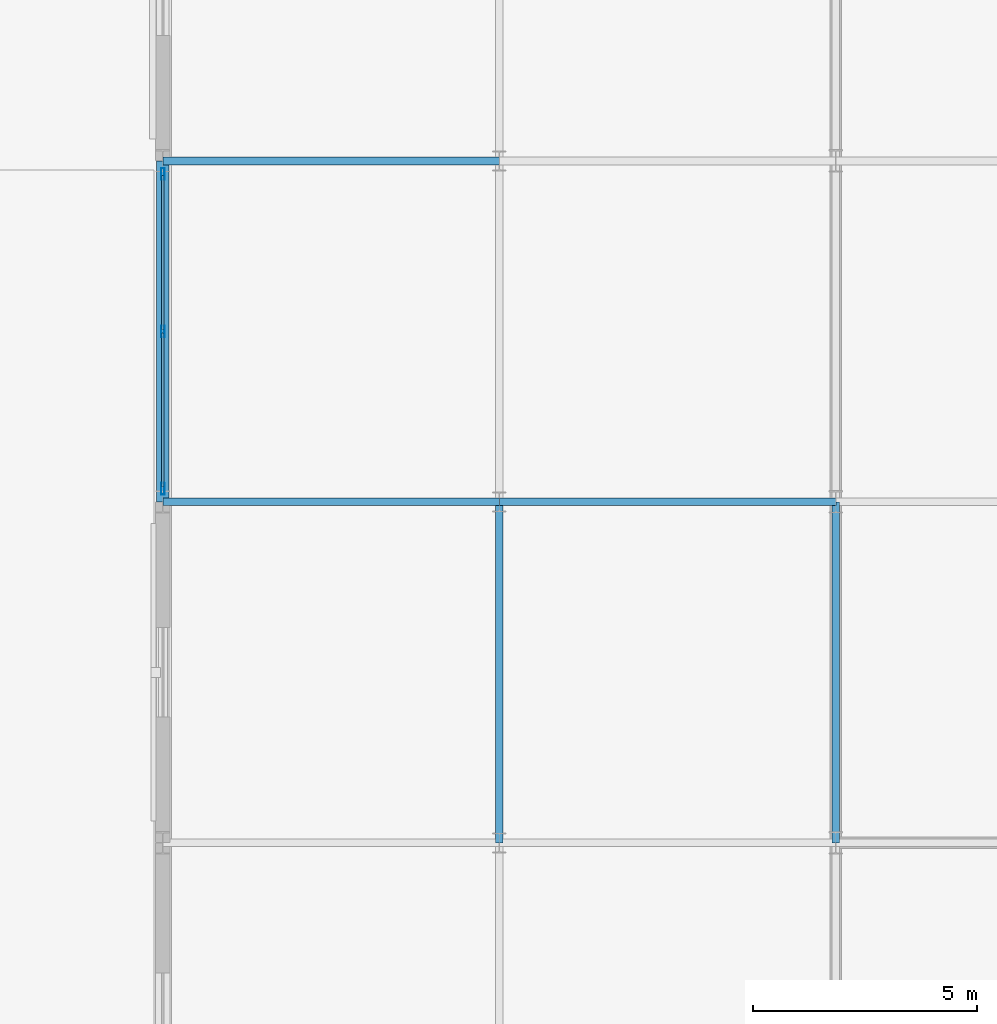
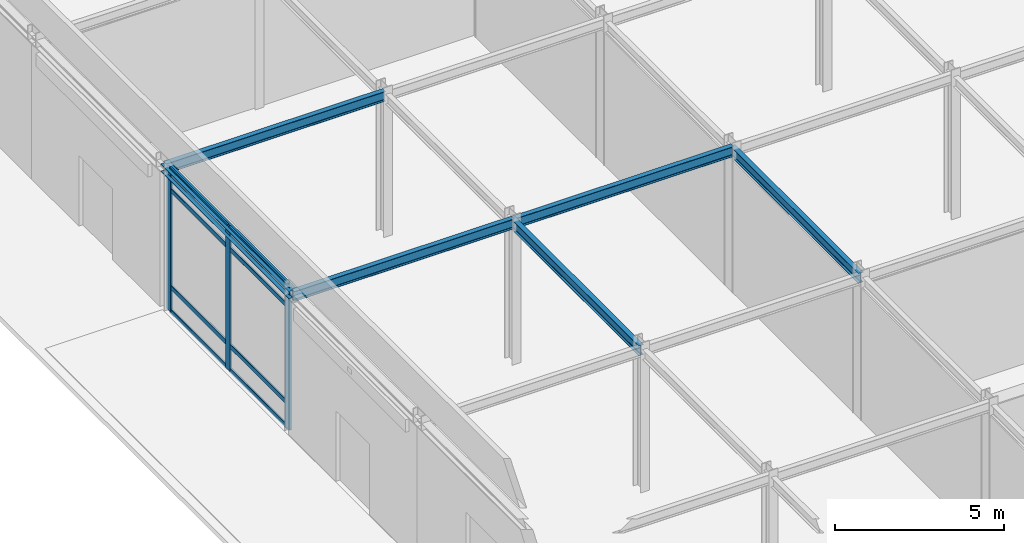
# One storey, part 23 of 89: 11 members, 6 beams, 1 element without a shape of its own.
"""IFC4 building model written with IfcOpenShell, lengths in metres."""

from ifc_helpers import new_model, si_unit, direction, frame, origin, origin_2d, place, context, subcontext, project, spatial, hollow_rectangle, i_section, extrude, material, layer, layer_set, material_profile, profile_set, type_object, element, aggregate, save


model = new_model("IFC4")

# Units and contexts
model_context = context("Model", 3, precision=1e-05, world=origin(), true_north=direction((0.0, 1.0)))
body_context = subcontext(model_context, "Body", "Model", "MODEL_VIEW")
ifc_project = project(units=[si_unit("LENGTHUNIT", "METRE"), si_unit("AREAUNIT", "SQUARE_METRE"), si_unit("VOLUMEUNIT", "CUBIC_METRE"), si_unit("PLANEANGLEUNIT", "RADIAN"), si_unit("MASSUNIT", "GRAM", prefix="KILO")], contexts=[model_context])

# Site, building, storey
site_placement = place(None, origin())
site = spatial("IfcSite", under=ifc_project, at=site_placement, CompositionType="ELEMENT")
building_placement = place(site_placement, origin())
building = spatial("IfcBuilding", under=site, at=building_placement, Name="Shalkamar Park Central Library", CompositionType="ELEMENT")
storey_placement = place(building_placement, origin())
storey = spatial("IfcBuildingStorey", under=building, at=storey_placement, Name="L01", CompositionType="ELEMENT", Elevation=0.0)

# Curtain wall, members
ifc_material_1 = material(Name="Thermally broken aluminium and triple low-e curtain wall", Category="aluminium")
ifc_layer = layer(ifc_material_1, 0.260009765625)
ifc_layer_set = layer_set([ifc_layer], Name="UnitisedCurtainWall_16")
curtain_wall_type = type_object("IfcCurtainWallType", Name="Unitised Curtain Wall 16", PredefinedType="USERDEFINED", material=ifc_layer_set)
curtain_wall_placement = place(storey_placement, origin())
curtain_wall = element("IfcCurtainWall", 1, at=curtain_wall_placement, inside=storey, type_object=curtain_wall_type, Name="Unitised Curtain Wall CW-L01-017", ObjectType="UNITISED CURTAIN WALL", PredefinedType="USERDEFINED")
ifc_material_2 = material(Name="Aluminium 6060-T66", Category="aluminium")
ifc_material_profile_1 = material_profile(ifc_material_2, hollow_rectangle(XDim=0.074951171875, YDim=0.260009765625, WallThickness=0.00439453125, InnerFilletRadius=0.00439453125, OuterFilletRadius=0.0068359375, at=origin_2d()), Name="ALU 75x260x4.5")
ifc_profile_set_1 = profile_set([ifc_material_profile_1], Name="Aluminium 6060-T66")
member_type_1 = type_object("IfcMemberType", Name="Curtain Wall Mullion ALU75x260", PredefinedType="MULLION", material=ifc_profile_set_1)
member_1_placement = place(storey_placement, frame((120.0, 285.8916015625, 0.0), z_axis=(0.0, 0.0, 1.0), x_axis=(-1.0, 0.0, 0.0)))
member_1 = element("IfcMember", 2, at=member_1_placement, type_object=member_type_1, Name="CW-16 mullion 1", PredefinedType="MULLION", context=body_context, shape_type="SweptSolid", body=[
    extrude(hollow_rectangle(XDim=0.074951171875, YDim=0.260009765625, WallThickness=0.00439453125, InnerFilletRadius=0.00439453125, OuterFilletRadius=0.0068359375, at=origin_2d()), origin(), (0.0, 0.0, 1.0), 5.14990234375),
])
member_2_placement = place(storey_placement, frame((120.0, 289.39990234375, 0.0), z_axis=(0.0, 0.0, 1.0), x_axis=(-1.0, 0.0, 0.0)))
member_2 = element("IfcMember", 3, at=member_2_placement, type_object=member_type_1, Name="CW-16 mullion 2", PredefinedType="MULLION", context=body_context, shape_type="SweptSolid", body=[
    extrude(hollow_rectangle(XDim=0.074951171875, YDim=0.260009765625, WallThickness=0.00439453125, InnerFilletRadius=0.00439453125, OuterFilletRadius=0.0068359375, at=origin_2d()), origin(), (0.0, 0.0, 1.0), 5.14990234375),
])
member_3_placement = place(storey_placement, frame((120.0, 292.908447265625, 0.0), z_axis=(0.0, 0.0, 1.0), x_axis=(-1.0, 0.0, 0.0)))
member_3 = element("IfcMember", 4, at=member_3_placement, type_object=member_type_1, Name="CW-16 mullion 3", PredefinedType="MULLION", context=body_context, shape_type="SweptSolid", body=[
    extrude(hollow_rectangle(XDim=0.074951171875, YDim=0.260009765625, WallThickness=0.00439453125, InnerFilletRadius=0.00439453125, OuterFilletRadius=0.0068359375, at=origin_2d()), origin(), (0.0, 0.0, 1.0), 5.14990234375),
])
ifc_material_profile_2 = material_profile(ifc_material_2, hollow_rectangle(XDim=0.06005859375, YDim=0.1650390625, WallThickness=0.00390625, InnerFilletRadius=0.00390625, OuterFilletRadius=0.006103515625, at=origin_2d()), Name="ALU 60x165x4")
ifc_profile_set_2 = profile_set([ifc_material_profile_2], Name="Aluminium 6060-T66")
member_type_2 = type_object("IfcMemberType", Name="Curtain Wall Transom ALU60x165", PredefinedType="USERDEFINED", material=ifc_profile_set_2)
member_4_placement = place(storey_placement, frame((120.0, 285.928955078125, 0.030029296875), z_axis=(0.0, 1.0, 0.0), x_axis=(-1.0, 0.0, 0.0)))
member_4 = element("IfcMember", 5, at=member_4_placement, type_object=member_type_2, Name="CW-16 transom 1.1", ObjectType="TRANSOM", PredefinedType="USERDEFINED", context=body_context, shape_type="SweptSolid", body=[
    extrude(hollow_rectangle(XDim=0.06005859375, YDim=0.1650390625, WallThickness=0.00390625, InnerFilletRadius=0.00390625, OuterFilletRadius=0.006103515625, at=origin_2d()), origin(), (0.0, 0.0, 1.0), 3.43359375),
])
member_5_placement = place(storey_placement, frame((120.0, 285.928955078125, 0.89990234375), z_axis=(0.0, 1.0, 0.0), x_axis=(-1.0, 0.0, 0.0)))
member_5 = element("IfcMember", 6, at=member_5_placement, type_object=member_type_2, Name="CW-16 transom 1.2", ObjectType="TRANSOM", PredefinedType="USERDEFINED", context=body_context, shape_type="SweptSolid", body=[
    extrude(hollow_rectangle(XDim=0.06005859375, YDim=0.1650390625, WallThickness=0.00390625, InnerFilletRadius=0.00390625, OuterFilletRadius=0.006103515625, at=origin_2d()), origin(), (0.0, 0.0, 1.0), 3.43359375),
])
member_6_placement = place(storey_placement, frame((120.0, 285.928955078125, 4.39990234375), z_axis=(0.0, 1.0, 0.0), x_axis=(-1.0, 0.0, 0.0)))
member_6 = element("IfcMember", 7, at=member_6_placement, type_object=member_type_2, Name="CW-16 transom 1.3", ObjectType="TRANSOM", PredefinedType="USERDEFINED", context=body_context, shape_type="SweptSolid", body=[
    extrude(hollow_rectangle(XDim=0.06005859375, YDim=0.1650390625, WallThickness=0.00390625, InnerFilletRadius=0.00390625, OuterFilletRadius=0.006103515625, at=origin_2d()), origin(), (0.0, 0.0, 1.0), 3.43359375),
])
member_7_placement = place(storey_placement, frame((120.0, 285.928955078125, 5.1201171875), z_axis=(0.0, 1.0, 0.0), x_axis=(-1.0, 0.0, 0.0)))
member_7 = element("IfcMember", 8, at=member_7_placement, type_object=member_type_2, Name="CW-16 transom 1.4", ObjectType="TRANSOM", PredefinedType="USERDEFINED", context=body_context, shape_type="SweptSolid", body=[
    extrude(hollow_rectangle(XDim=0.06005859375, YDim=0.1650390625, WallThickness=0.00390625, InnerFilletRadius=0.00390625, OuterFilletRadius=0.006103515625, at=origin_2d()), origin(), (0.0, 0.0, 1.0), 3.43359375),
])
member_8_placement = place(storey_placement, frame((120.0, 289.4375, 0.030029296875), z_axis=(0.0, 1.0, 0.0), x_axis=(-1.0, 0.0, 0.0)))
member_8 = element("IfcMember", 9, at=member_8_placement, type_object=member_type_2, Name="CW-16 transom 2.1", ObjectType="TRANSOM", PredefinedType="USERDEFINED", context=body_context, shape_type="SweptSolid", body=[
    extrude(hollow_rectangle(XDim=0.06005859375, YDim=0.1650390625, WallThickness=0.00390625, InnerFilletRadius=0.00390625, OuterFilletRadius=0.006103515625, at=origin_2d()), origin(), (0.0, 0.0, 1.0), 3.43359375),
])
member_9_placement = place(storey_placement, frame((120.0, 289.4375, 0.89990234375), z_axis=(0.0, 1.0, 0.0), x_axis=(-1.0, 0.0, 0.0)))
member_9 = element("IfcMember", 10, at=member_9_placement, type_object=member_type_2, Name="CW-16 transom 2.2", ObjectType="TRANSOM", PredefinedType="USERDEFINED", context=body_context, shape_type="SweptSolid", body=[
    extrude(hollow_rectangle(XDim=0.06005859375, YDim=0.1650390625, WallThickness=0.00390625, InnerFilletRadius=0.00390625, OuterFilletRadius=0.006103515625, at=origin_2d()), origin(), (0.0, 0.0, 1.0), 3.43359375),
])
member_10_placement = place(storey_placement, frame((120.0, 289.4375, 4.39990234375), z_axis=(0.0, 1.0, 0.0), x_axis=(-1.0, 0.0, 0.0)))
member_10 = element("IfcMember", 11, at=member_10_placement, type_object=member_type_2, Name="CW-16 transom 2.3", ObjectType="TRANSOM", PredefinedType="USERDEFINED", context=body_context, shape_type="SweptSolid", body=[
    extrude(hollow_rectangle(XDim=0.06005859375, YDim=0.1650390625, WallThickness=0.00390625, InnerFilletRadius=0.00390625, OuterFilletRadius=0.006103515625, at=origin_2d()), origin(), (0.0, 0.0, 1.0), 3.43359375),
])
member_11_placement = place(storey_placement, frame((120.0, 289.4375, 5.1201171875), z_axis=(0.0, 1.0, 0.0), x_axis=(-1.0, 0.0, 0.0)))
member_11 = element("IfcMember", 12, at=member_11_placement, type_object=member_type_2, Name="CW-16 transom 2.4", ObjectType="TRANSOM", PredefinedType="USERDEFINED", context=body_context, shape_type="SweptSolid", body=[
    extrude(hollow_rectangle(XDim=0.06005859375, YDim=0.1650390625, WallThickness=0.00390625, InnerFilletRadius=0.00390625, OuterFilletRadius=0.006103515625, at=origin_2d()), origin(), (0.0, 0.0, 1.0), 3.43359375),
])
aggregate(curtain_wall, [member_1, member_2, member_3, member_4, member_5, member_6, member_7, member_8, member_9, member_10, member_11])

# Beams
ifc_material_3 = material(Name="Steel S355", Category="steel")
ifc_material_profile_3 = material_profile(ifc_material_3, i_section(OverallWidth=0.280029296875, OverallDepth=0.27001953125, WebThickness=0.008056640625, FlangeThickness=0.012939453125, FilletRadius=0.02392578125, at=origin_2d()), Name="HEA 280")
ifc_profile_set_3 = profile_set([ifc_material_profile_3], Name="Steel S355")
beam_type_1 = type_object("IfcBeamType", Name="Perimeter Spandrel Beam HEA280", PredefinedType="SPANDREL", material=ifc_profile_set_3)
beam_placement = place(storey_placement, frame((120.0, 285.60009765625, 5.014892578125), z_axis=(0.0, 1.0, 0.0), x_axis=(-1.0, 0.0, 0.0)))
element("IfcBeam", 13, at=beam_placement, inside=storey, type_object=beam_type_1, Name="Beam 01:G-H (L01)", PredefinedType="SPANDREL", context=body_context, shape_type="SweptSolid", body=[
    extrude(i_section(OverallWidth=0.280029296875, OverallDepth=0.27001953125, WebThickness=0.008056640625, FlangeThickness=0.012939453125, FilletRadius=0.02392578125, at=origin_2d()), origin(), (0.0, 0.0, 1.0), 7.599853515625),
])
ifc_material_profile_4 = material_profile(ifc_material_3, i_section(OverallWidth=0.169921875, OverallDepth=0.360107421875, WebThickness=0.008056640625, FlangeThickness=0.0126953125, FilletRadius=0.01806640625, at=origin_2d()), Name="IPE 360")
ifc_profile_set_4 = profile_set([ifc_material_profile_4], Name="Steel S355")
beam_type_2 = type_object("IfcBeamType", Name="Primary Girder IPE360", PredefinedType="BEAM", material=ifc_profile_set_4)
for number, where, z_axis, x_axis, name in (
    (14, (120.0, 285.60009765625, 4.969970703125), (1.0, 0.0, 0.0), (0.0, 1.0, 0.0), "Beam G:01-02 (L01)"),
    (15, (127.5, 285.60009765625, 4.9599609375), (1.0, 0.0, 0.0), (0.0, 1.0, 0.0), "Beam G:02-03 (L01)"),
    (16, (120.0, 293.199951171875, 4.969970703125), (1.0, 0.0, 0.0), (0.0, 1.0, 0.0), "Beam H:01-02 (L01)"),
):
    element("IfcBeam", number, at=place(storey_placement, frame(where, z_axis=z_axis, x_axis=x_axis)), inside=storey, type_object=beam_type_2, Name=name, PredefinedType="BEAM", context=body_context, shape_type="SweptSolid", body=[
        extrude(i_section(OverallWidth=0.169921875, OverallDepth=0.360107421875, WebThickness=0.008056640625, FlangeThickness=0.0126953125, FilletRadius=0.01806640625, at=origin_2d()), origin(), (0.0, 0.0, 1.0), 7.5),
    ])
for number, where, z_axis, x_axis, name in (
    (17, (127.5, 278.0, 4.969970703125), (0.0, 1.0, 0.0), (-1.0, 0.0, 0.0), "Beam 02:F-G (L01)"),
    (18, (135.0, 278.0, 4.9599609375), (0.0, 1.0, 0.0), (-1.0, 0.0, 0.0), "Beam 03:F-G (L01)"),
):
    element("IfcBeam", number, at=place(storey_placement, frame(where, z_axis=z_axis, x_axis=x_axis)), inside=storey, type_object=beam_type_2, Name=name, PredefinedType="BEAM", context=body_context, shape_type="SweptSolid", body=[
        extrude(i_section(OverallWidth=0.169921875, OverallDepth=0.360107421875, WebThickness=0.008056640625, FlangeThickness=0.0126953125, FilletRadius=0.01806640625, at=origin_2d()), origin(), (0.0, 0.0, 1.0), 7.60009765625),
    ])

save(model, "model.ifc")
